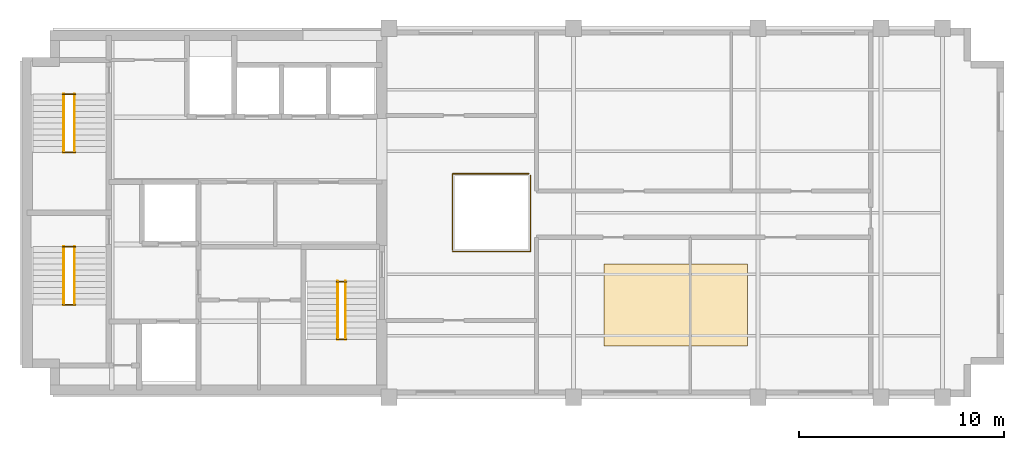
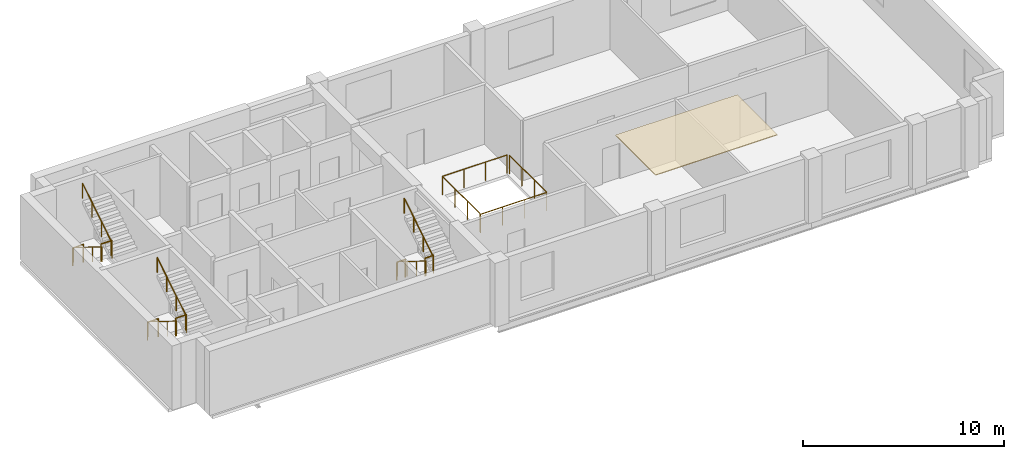
# One storey, part 5 of 5: 14 railings, 1 covering.
"""IFC4 building model written with IfcOpenShell, lengths in metres."""

from ifc_helpers import new_model, si_unit, direction, frame, origin, origin_2d, place, context, subcontext, project, spatial, polyline, circle, outline, extrude, material, layer, layer_set, type_object, element, save


model = new_model("IFC4")

# Units and contexts
model_context = context("Model", 3, precision=1e-05, world=origin(), true_north=direction((0.0, 1.0)))
body_context = subcontext(model_context, "Body", "Model", "MODEL_VIEW")
ifc_project = project(units=[si_unit("LENGTHUNIT", "METRE"), si_unit("AREAUNIT", "SQUARE_METRE"), si_unit("VOLUMEUNIT", "CUBIC_METRE"), si_unit("PLANEANGLEUNIT", "RADIAN"), si_unit("MASSUNIT", "GRAM", prefix="KILO")], contexts=[model_context])

# Site, building, storey
site_placement = place(None, origin())
site = spatial("IfcSite", under=ifc_project, at=site_placement, CompositionType="ELEMENT")
building_placement = place(site_placement, origin())
building = spatial("IfcBuilding", under=site, at=building_placement, Name="Mawjdan Bourse Tower", CompositionType="ELEMENT")
storey_placement = place(building_placement, frame((0.0, 0.0, 282.0)))
storey = spatial("IfcBuildingStorey", under=building, at=storey_placement, Name="L69", CompositionType="ELEMENT", Elevation=282.0)

# Covering
ifc_material_1 = material(Name="Perforated Mineral-Fibre Acoustic Ceiling")
ifc_layer = layer(ifc_material_1, 0.044921875)
ifc_layer_set = layer_set([ifc_layer], Name="Perforated Mineral-Fibre Acoustic Ceiling")
covering_type = type_object("IfcCoveringType", Name="COV-CLG-AC", PredefinedType="CEILING", material=ifc_layer_set)
covering_placement = place(storey_placement, frame((0.0, 0.0, 3.669921875)))
element("IfcCovering", 1, at=covering_placement, inside=storey, type_object=covering_type, Name="L69 Suspended Acoustic Ceiling", PredefinedType="CEILING", context=body_context, shape_type="SweptSolid", body=[
    extrude(outline(polyline([(34.5, 5.5), (41.5, 5.5), (41.5, 9.5), (34.5, 9.5), (34.5, 5.5)])), origin(), (0.0, 0.0, 1.0), 0.045166015625),
])

# Railings
ifc_material_2 = material(Name="Stainless Steel and Laminated Glass", Category="steel")
railing_type_1 = type_object("IfcRailingType", Name="RLG-BAL-1150", PredefinedType="BALUSTRADE", material=ifc_material_2)
railing_1_placement = place(storey_placement, frame((27.10009765625, 10.10009765625, 0.0)))
element("IfcRailing", 2, at=railing_1_placement, inside=storey, type_object=railing_type_1, Name="L69 Summit Atrium Lightwell Balustrade SE", PredefinedType="BALUSTRADE", context=body_context, shape_type="SweptSolid", body=[
    extrude(circle(Radius=0.02685546875, at=origin_2d()), frame((0.0, 0.0, 1.123046875), z_axis=(1.0, 0.0, 0.0), x_axis=(0.0, 1.0, 0.0)), (0.0, 0.0, 1.0), 3.7998046875),
    extrude(circle(Radius=0.02685546875, at=origin_2d()), frame((3.7998046875, 0.0, 1.123046875), z_axis=(0.0, 1.0, 0.0), x_axis=(-1.0, 0.0, 0.0)), (0.0, 0.0, 1.0), 3.719970703125),
    extrude(circle(Radius=0.02294921875, at=origin_2d()), origin(), (0.0, 0.0, 1.0), 1.095947265625),
    extrude(circle(Radius=0.02294921875, at=origin_2d()), frame((1.2666015625, 0.0, 0.0)), (0.0, 0.0, 1.0), 1.095947265625),
    extrude(circle(Radius=0.02294921875, at=origin_2d()), frame((2.533203125, 0.0, 0.0)), (0.0, 0.0, 1.0), 1.095947265625),
    extrude(circle(Radius=0.02294921875, at=origin_2d()), frame((3.7998046875, 0.0, 0.0)), (0.0, 0.0, 1.0), 1.095947265625),
    extrude(circle(Radius=0.02294921875, at=origin_2d()), frame((3.7998046875, 1.239990234375, 0.0)), (0.0, 0.0, 1.0), 1.095947265625),
    extrude(circle(Radius=0.02294921875, at=origin_2d()), frame((3.7998046875, 2.47998046875, 0.0)), (0.0, 0.0, 1.0), 1.095947265625),
    extrude(circle(Radius=0.02294921875, at=origin_2d()), frame((3.7998046875, 3.719970703125, 0.0)), (0.0, 0.0, 1.0), 1.095947265625),
])
railing_2_placement = place(storey_placement, frame((30.820068359375, 13.89990234375, 0.0)))
element("IfcRailing", 3, at=railing_2_placement, inside=storey, type_object=railing_type_1, Name="L69 Summit Atrium Lightwell Balustrade NW", PredefinedType="BALUSTRADE", context=body_context, shape_type="SweptSolid", body=[
    extrude(circle(Radius=0.02685546875, at=origin_2d()), frame((0.0, 0.0, 1.123046875), z_axis=(-1.0, 0.0, 0.0), x_axis=(0.0, -1.0, 0.0)), (0.0, 0.0, 1.0), 3.719970703125),
    extrude(circle(Radius=0.02685546875, at=origin_2d()), frame((-3.719970703125, 0.0, 1.123046875), z_axis=(0.0, -1.0, 0.0), x_axis=(1.0, 0.0, 0.0)), (0.0, 0.0, 1.0), 3.719970703125),
    extrude(circle(Radius=0.02294921875, at=origin_2d()), origin(), (0.0, 0.0, 1.0), 1.095947265625),
    extrude(circle(Radius=0.02294921875, at=origin_2d()), frame((-1.239990234375, 0.0, 0.0)), (0.0, 0.0, 1.0), 1.095947265625),
    extrude(circle(Radius=0.02294921875, at=origin_2d()), frame((-2.47998046875, 0.0, 0.0)), (0.0, 0.0, 1.0), 1.095947265625),
    extrude(circle(Radius=0.02294921875, at=origin_2d()), frame((-3.719970703125, 0.0, 0.0)), (0.0, 0.0, 1.0), 1.095947265625),
    extrude(circle(Radius=0.02294921875, at=origin_2d()), frame((-3.719970703125, -1.239990234375, 0.0)), (0.0, 0.0, 1.0), 1.095947265625),
    extrude(circle(Radius=0.02294921875, at=origin_2d()), frame((-3.719970703125, -2.47998046875, 0.0)), (0.0, 0.0, 1.0), 1.095947265625),
    extrude(circle(Radius=0.02294921875, at=origin_2d()), frame((-3.719970703125, -3.719970703125, 0.0)), (0.0, 0.0, 1.0), 1.095947265625),
])
ifc_material_3 = material(Name="Structural Steel S355", Category="steel")
railing_type_2 = type_object("IfcRailingType", Name="RLG-GRD-1100", PredefinedType="GUARDRAIL", material=ifc_material_3)
for number, where, name in (
    (4, (8.090087890625, 7.52001953125, 1.949951171875), "L69 ST1 Landing Guardrail GL-MID"),
    (5, (8.090087890625, 10.330078125, 0.0), "L69 ST1 Landing Guardrail GL-BOT"),
    (6, (8.090087890625, 14.9599609375, 1.949951171875), "L69 ST2 Landing Guardrail GL-MID"),
    (7, (8.090087890625, 17.77001953125, 0.0), "L69 ST2 Landing Guardrail GL-BOT"),
):
    element("IfcRailing", number, at=place(storey_placement, frame(where)), inside=storey, type_object=railing_type_2, Name=name, PredefinedType="GUARDRAIL", context=body_context, shape_type="SweptSolid", body=[
        extrude(circle(Radius=0.02490234375, at=origin_2d()), frame((0.0, 0.0, 1.0751953125), z_axis=(1.0, 0.0, 0.0), x_axis=(0.0, 1.0, 0.0)), (0.0, 0.0, 1.0), 0.619873046875),
        extrude(circle(Radius=0.02099609375, at=origin_2d()), origin(), (0.0, 0.0, 1.0), 1.050048828125),
        extrude(circle(Radius=0.02099609375, at=origin_2d()), frame((0.619873046875, 0.0, 0.0)), (0.0, 0.0, 1.0), 1.050048828125),
    ])
for number, where, name in (
    (8, (21.43994140625, 5.830078125, 1.949951171875), "L69 ST7 Landing Guardrail GL-MID"),
    (9, (21.43994140625, 8.639892578125, 0.0), "L69 ST7 Landing Guardrail GL-BOT"),
):
    element("IfcRailing", number, at=place(storey_placement, frame(where)), inside=storey, type_object=railing_type_2, Name=name, PredefinedType="GUARDRAIL", context=body_context, shape_type="SweptSolid", body=[
        extrude(circle(Radius=0.02490234375, at=origin_2d()), frame((0.0, 0.0, 1.0751953125), z_axis=(1.0, 0.0, 0.0), x_axis=(0.0, 1.0, 0.0)), (0.0, 0.0, 1.0), 0.489990234375),
        extrude(circle(Radius=0.02099609375, at=origin_2d()), origin(), (0.0, 0.0, 1.0), 1.050048828125),
        extrude(circle(Radius=0.02099609375, at=origin_2d()), frame((0.489990234375, 0.0, 0.0)), (0.0, 0.0, 1.0), 1.050048828125),
    ])
ifc_material_4 = material(Name="Brushed Stainless Steel", Category="steel")
railing_type_3 = type_object("IfcRailingType", Name="RLG-HND-920", PredefinedType="HANDRAIL", material=ifc_material_4)
railing_3_placement = place(storey_placement, frame((8.139892578125, 10.35009765625, 0.17724609375)))
element("IfcRailing", 10, at=railing_3_placement, inside=storey, type_object=railing_type_3, Name="L69 ST1 Flight Handrail HR1", PredefinedType="HANDRAIL", context=body_context, shape_type="SweptSolid", body=[
    extrude(circle(Radius=0.0224609375, at=origin_2d()), frame((0.0, 0.0, 0.8974609375), z_axis=(0.0, -0.849148672731, 0.528153890072), x_axis=(1.0, 0.0, 0.0)), (0.0, 0.0, 1.0), 3.3564453125),
    extrude(circle(Radius=0.01904296875, at=origin_2d()), origin(), (0.0, 0.0, 1.0), 0.875),
    extrude(circle(Radius=0.01904296875, at=origin_2d()), frame((0.0, -0.949951171875, 0.5908203125)), (0.0, 0.0, 1.0), 0.875),
    extrude(circle(Radius=0.01904296875, at=origin_2d()), frame((0.0, -1.900146484375, 1.181884765625)), (0.0, 0.0, 1.0), 0.875),
    extrude(circle(Radius=0.01904296875, at=origin_2d()), frame((0.0, -2.85009765625, 1.772705078125)), (0.0, 0.0, 1.0), 0.875),
])
railing_4_placement = place(storey_placement, frame((8.659912109375, 7.5, 2.127197265625)))
element("IfcRailing", 11, at=railing_4_placement, inside=storey, type_object=railing_type_3, Name="L69 ST1 Flight Handrail HR2", PredefinedType="HANDRAIL", context=body_context, shape_type="SweptSolid", body=[
    extrude(circle(Radius=0.0224609375, at=origin_2d()), frame((0.0, 0.0, 0.8974609375), z_axis=(0.0, 0.849148672731, 0.528153890072), x_axis=(-1.0, 0.0, 0.0)), (0.0, 0.0, 1.0), 3.3564453125),
    extrude(circle(Radius=0.01904296875, at=origin_2d()), origin(), (0.0, 0.0, 1.0), 0.875),
    extrude(circle(Radius=0.01904296875, at=origin_2d()), frame((0.0, 0.949951171875, 0.5908203125)), (0.0, 0.0, 1.0), 0.875),
    extrude(circle(Radius=0.01904296875, at=origin_2d()), frame((0.0, 1.900146484375, 1.181884765625)), (0.0, 0.0, 1.0), 0.875),
    extrude(circle(Radius=0.01904296875, at=origin_2d()), frame((0.0, 2.85009765625, 1.772705078125)), (0.0, 0.0, 1.0), 0.875),
])
railing_5_placement = place(storey_placement, frame((8.139892578125, 17.7900390625, 0.17724609375)))
element("IfcRailing", 12, at=railing_5_placement, inside=storey, type_object=railing_type_3, Name="L69 ST2 Flight Handrail HR1", PredefinedType="HANDRAIL", context=body_context, shape_type="SweptSolid", body=[
    extrude(circle(Radius=0.0224609375, at=origin_2d()), frame((0.0, 0.0, 0.8974609375), z_axis=(0.0, -0.849148672731, 0.528153890072), x_axis=(1.0, 0.0, 0.0)), (0.0, 0.0, 1.0), 3.3564453125),
    extrude(circle(Radius=0.01904296875, at=origin_2d()), origin(), (0.0, 0.0, 1.0), 0.875),
    extrude(circle(Radius=0.01904296875, at=origin_2d()), frame((0.0, -0.949951171875, 0.5908203125)), (0.0, 0.0, 1.0), 0.875),
    extrude(circle(Radius=0.01904296875, at=origin_2d()), frame((0.0, -1.900146484375, 1.181884765625)), (0.0, 0.0, 1.0), 0.875),
    extrude(circle(Radius=0.01904296875, at=origin_2d()), frame((0.0, -2.85009765625, 1.772705078125)), (0.0, 0.0, 1.0), 0.875),
])
railing_6_placement = place(storey_placement, frame((8.659912109375, 14.93994140625, 2.127197265625)))
element("IfcRailing", 13, at=railing_6_placement, inside=storey, type_object=railing_type_3, Name="L69 ST2 Flight Handrail HR2", PredefinedType="HANDRAIL", context=body_context, shape_type="SweptSolid", body=[
    extrude(circle(Radius=0.0224609375, at=origin_2d()), frame((0.0, 0.0, 0.8974609375), z_axis=(0.0, 0.849148672731, 0.528153890072), x_axis=(-1.0, 0.0, 0.0)), (0.0, 0.0, 1.0), 3.3564453125),
    extrude(circle(Radius=0.01904296875, at=origin_2d()), origin(), (0.0, 0.0, 1.0), 0.875),
    extrude(circle(Radius=0.01904296875, at=origin_2d()), frame((0.0, 0.949951171875, 0.5908203125)), (0.0, 0.0, 1.0), 0.875),
    extrude(circle(Radius=0.01904296875, at=origin_2d()), frame((0.0, 1.900146484375, 1.181884765625)), (0.0, 0.0, 1.0), 0.875),
    extrude(circle(Radius=0.01904296875, at=origin_2d()), frame((0.0, 2.85009765625, 1.772705078125)), (0.0, 0.0, 1.0), 0.875),
])
railing_7_placement = place(storey_placement, frame((21.489990234375, 8.659912109375, 0.17724609375)))
element("IfcRailing", 14, at=railing_7_placement, inside=storey, type_object=railing_type_3, Name="L69 ST7 Flight Handrail HR1", PredefinedType="HANDRAIL", context=body_context, shape_type="SweptSolid", body=[
    extrude(circle(Radius=0.0224609375, at=origin_2d()), frame((0.0, 0.0, 0.8974609375), z_axis=(0.0, -0.849128380713, 0.528186513523), x_axis=(1.0, 0.0, 0.0)), (0.0, 0.0, 1.0), 3.356201171875),
    extrude(circle(Radius=0.01904296875, at=origin_2d()), origin(), (0.0, 0.0, 1.0), 0.875),
    extrude(circle(Radius=0.01904296875, at=origin_2d()), frame((0.0, -0.949951171875, 0.5908203125)), (0.0, 0.0, 1.0), 0.875),
    extrude(circle(Radius=0.01904296875, at=origin_2d()), frame((0.0, -1.89990234375, 1.181884765625)), (0.0, 0.0, 1.0), 0.875),
    extrude(circle(Radius=0.01904296875, at=origin_2d()), frame((0.0, -2.849853515625, 1.772705078125)), (0.0, 0.0, 1.0), 0.875),
])
railing_8_placement = place(storey_placement, frame((21.8798828125, 5.81005859375, 2.127197265625)))
element("IfcRailing", 15, at=railing_8_placement, inside=storey, type_object=railing_type_3, Name="L69 ST7 Flight Handrail HR2", PredefinedType="HANDRAIL", context=body_context, shape_type="SweptSolid", body=[
    extrude(circle(Radius=0.0224609375, at=origin_2d()), frame((0.0, 0.0, 0.8974609375), z_axis=(0.0, 0.849128380713, 0.528186513523), x_axis=(-1.0, 0.0, 0.0)), (0.0, 0.0, 1.0), 3.356201171875),
    extrude(circle(Radius=0.01904296875, at=origin_2d()), origin(), (0.0, 0.0, 1.0), 0.875),
    extrude(circle(Radius=0.01904296875, at=origin_2d()), frame((0.0, 0.949951171875, 0.5908203125)), (0.0, 0.0, 1.0), 0.875),
    extrude(circle(Radius=0.01904296875, at=origin_2d()), frame((0.0, 1.89990234375, 1.181884765625)), (0.0, 0.0, 1.0), 0.875),
    extrude(circle(Radius=0.01904296875, at=origin_2d()), frame((0.0, 2.849853515625, 1.772705078125)), (0.0, 0.0, 1.0), 0.875),
])

save(model, "model.ifc")
